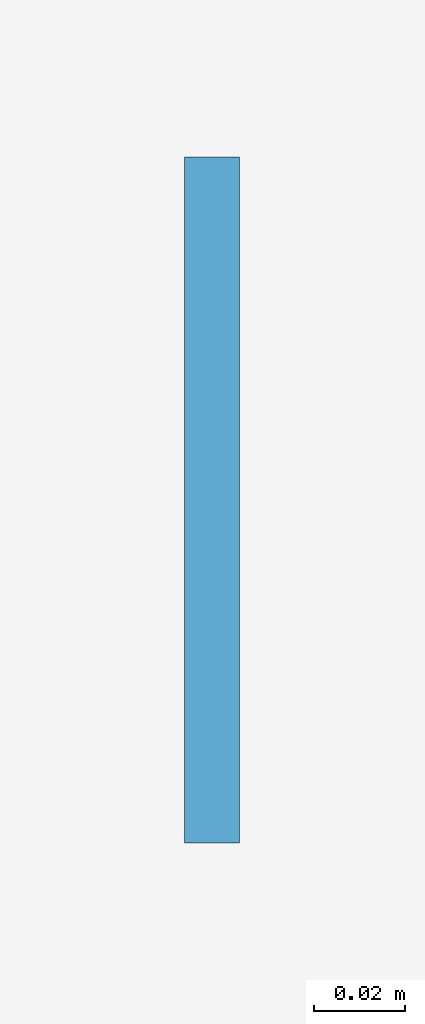
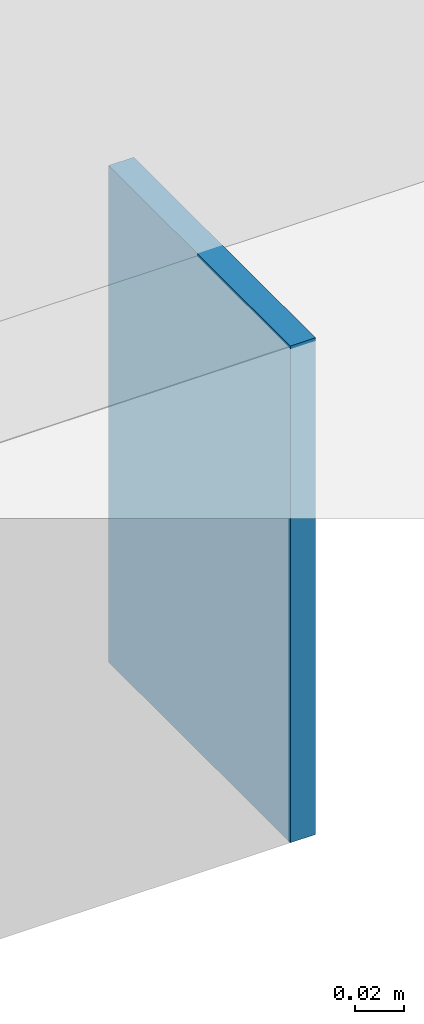
# One storey, part 112 of 136: 1 discrete accessory.
"""IFC4 building model written with IfcOpenShell, lengths in metres."""

from ifc_helpers import new_model, si_unit, direction, frame, origin, place, context, subcontext, project, spatial, polyline, outline, extrude, material, layer, layer_set, type_object, element, save


model = new_model("IFC4")

# Units and contexts
model_context = context("Model", 3, precision=1e-05, world=origin(), true_north=direction((0.0, 1.0)))
body_context = subcontext(model_context, "Body", "Model", "MODEL_VIEW")
ifc_project = project(units=[si_unit("LENGTHUNIT", "METRE"), si_unit("AREAUNIT", "SQUARE_METRE"), si_unit("VOLUMEUNIT", "CUBIC_METRE"), si_unit("PLANEANGLEUNIT", "RADIAN"), si_unit("MASSUNIT", "GRAM", prefix="KILO")], contexts=[model_context])

# Site, building, storey
site_placement = place(None, origin())
site = spatial("IfcSite", under=ifc_project, at=site_placement, CompositionType="ELEMENT")
building_placement = place(site_placement, origin())
building = spatial("IfcBuilding", under=site, at=building_placement, Name="Kisiwana Market Hall", CompositionType="ELEMENT")
storey_placement = place(building_placement, frame((0.0, 0.0, 16.800048828125)))
storey = spatial("IfcBuildingStorey", under=building, at=storey_placement, Name="L03", CompositionType="ELEMENT", Elevation=16.800048828125)

# Discrete accessory
ifc_material = material(Name="Steel S355", Category="steel")
ifc_layer = layer(ifc_material, 0.011962890625)
ifc_layer_set = layer_set([ifc_layer], Name="ACC-ENDCAP-STL")
discrete_accessory_type = type_object("IfcDiscreteAccessoryType", Name="ACC-ENDCAP-STL", PredefinedType="USERDEFINED", material=ifc_layer_set)
discrete_accessory_placement = place(storey_placement, frame((0.0, 0.0, -0.5)))
element("IfcDiscreteAccessory", 1, at=discrete_accessory_placement, inside=storey, type_object=discrete_accessory_type, Name="End cap plate EC-0037", ObjectType="End cap plate", PredefinedType="USERDEFINED", context=body_context, shape_type="SweptSolid", body=[
    extrude(outline(polyline([(116.798095703125, 35.925048828125), (116.81005859375, 35.925048828125), (116.81005859375, 36.074951171875), (116.798095703125, 36.074951171875), (116.798095703125, 35.925048828125)])), origin(), (0.0, 0.0, 1.0), 0.25),
])

save(model, "model.ifc")
